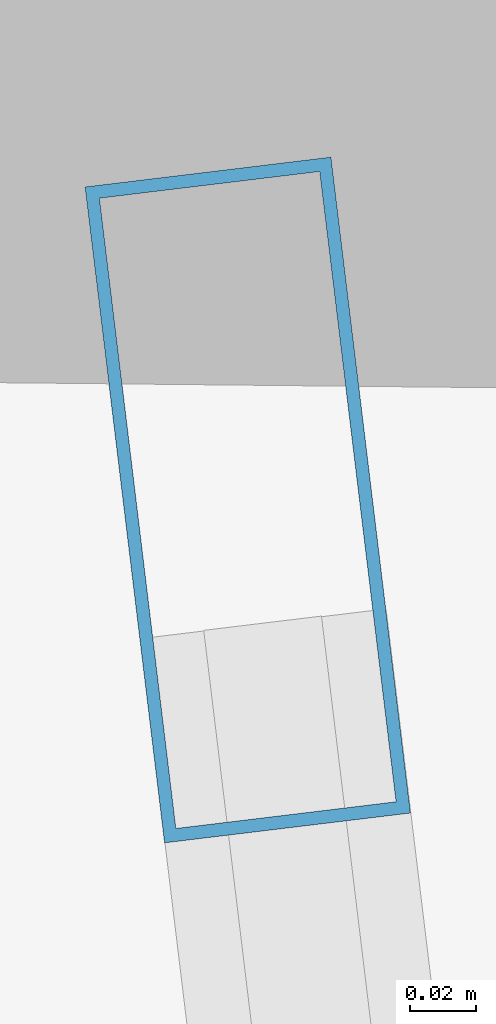
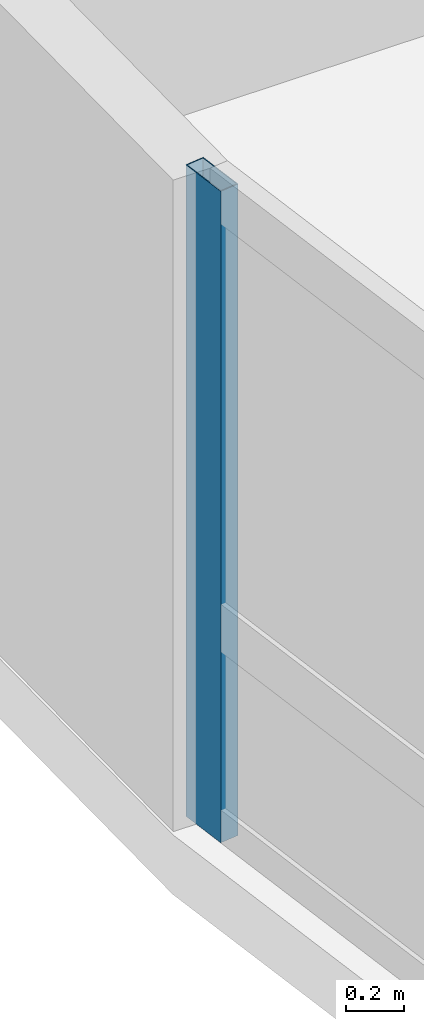
# One storey, part 8 of 23: 1 member, 1 element without a shape of its own.
"""IFC4 building model written with IfcOpenShell, lengths in metres."""

from ifc_helpers import new_model, si_unit, direction, frame, origin, origin_2d, place, context, subcontext, project, spatial, hollow_rectangle, extrude, material, layer, layer_set, material_profile, profile_set, type_object, element, aggregate, save


model = new_model("IFC4")

# Units and contexts
model_context = context("Model", 3, precision=1e-05, world=origin(), true_north=direction((0.0, 1.0)))
body_context = subcontext(model_context, "Body", "Model", "MODEL_VIEW")
ifc_project = project(units=[si_unit("LENGTHUNIT", "METRE"), si_unit("AREAUNIT", "SQUARE_METRE"), si_unit("VOLUMEUNIT", "CUBIC_METRE"), si_unit("PLANEANGLEUNIT", "RADIAN"), si_unit("MASSUNIT", "GRAM", prefix="KILO")], contexts=[model_context])

# Site, building, storey
site_placement = place(None, origin())
site = spatial("IfcSite", under=ifc_project, at=site_placement, CompositionType="ELEMENT")
building_placement = place(site_placement, origin())
building = spatial("IfcBuilding", under=site, at=building_placement, Name="Varnelok Gate Tower", CompositionType="ELEMENT")
storey_placement = place(building_placement, frame((0.0, 0.0, 174.60009765625)))
storey = spatial("IfcBuildingStorey", under=building, at=storey_placement, Name="L44", CompositionType="ELEMENT", Elevation=174.60009765625)

# Curtain wall, member
ifc_material = material(Name="Anodized Aluminum Alloy 6063-T6", Category="aluminium")
ifc_layer = layer(ifc_material, 0.179931640625)
ifc_layer_set = layer_set([ifc_layer], Name="Anodized Aluminum Alloy 6063-T6")
curtain_wall_type = type_object("IfcCurtainWallType", Name="CW4-RESIDENCE-VISION", PredefinedType="USERDEFINED", material=ifc_layer_set)
curtain_wall_placement = place(storey_placement, origin())
curtain_wall = element("IfcCurtainWall", 1, at=curtain_wall_placement, inside=storey, type_object=curtain_wall_type, Name="L44 West End Vision Curtain Wall", ObjectType="UNITISED CURTAIN WALL", PredefinedType="USERDEFINED")
ifc_material_profile = material_profile(ifc_material, hollow_rectangle(XDim=0.074951171875, YDim=0.199951171875, WallThickness=0.00390625, at=origin_2d()), Name="ALU200X75X4")
ifc_profile_set = profile_set([ifc_material_profile], Name="Anodized Aluminum Alloy 6063-T6")
member_type = type_object("IfcMemberType", Name="CW-MULL-200", PredefinedType="MULLION", material=ifc_profile_set)
member_placement = place(storey_placement, frame((2.290283203125, 37.610107421875, 0.0), z_axis=(0.0, 0.0, 1.0), x_axis=(-0.992732188751, -0.120344511371, 0.0)))
member = element("IfcMember", 2, at=member_placement, type_object=member_type, Name="CW4 mullion 6", PredefinedType="MULLION", context=body_context, shape_type="SweptSolid", body=[
    extrude(hollow_rectangle(XDim=0.074951171875, YDim=0.199951171875, WallThickness=0.00390625, at=origin_2d()), origin(), (0.0, 0.0, 1.0), 2.72998046875),
])
aggregate(curtain_wall, [member])

save(model, "model.ifc")
